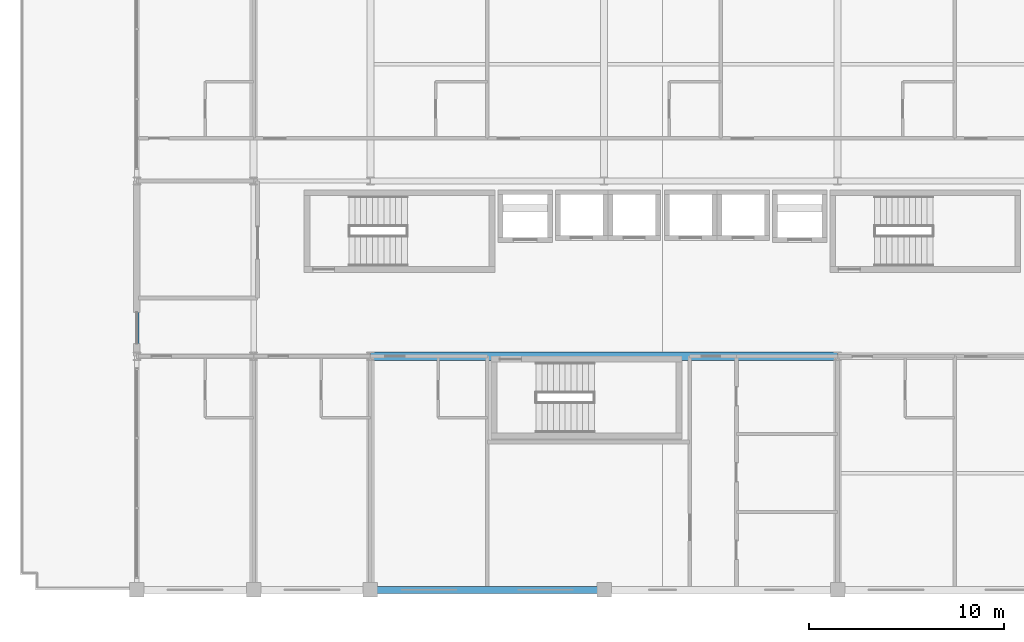
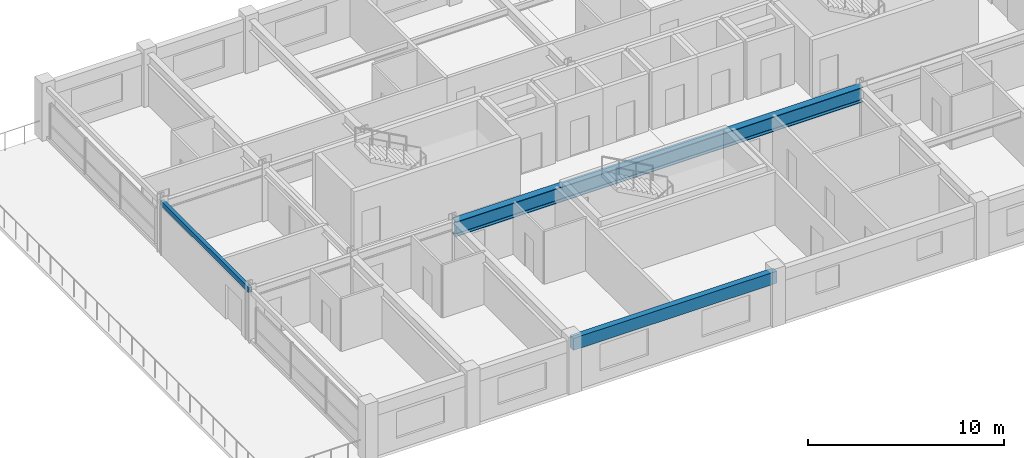
# One storey, part 5 of 21: 3 beams.
"""IFC4 building model written with IfcOpenShell, lengths in metres."""

import ifcopenshell
import ifcopenshell.guid

model = None  # the IFC model being written
_history = None  # IfcOwnerHistory: only IFC2X3 demands one
_inside = {}  # id of a spatial element -> (the spatial element, [elements in it])
_under = {}  # id of a project, library or spatial element -> (it, [spatial elements below it])
_declared = {}  # id of a project -> (the project, [libraries it declares])
_typed = {}  # id of a type object -> (the type object, [elements of that type])
_made_of = {}  # id of a material, layer set ... -> (it, [elements and type objects made of it])


def new_model(schema):
    """Start an empty IFC model of exactly this schema.

    Asked for "IFC4X3", IfcOpenShell would pick the latest addendum, in which some entities
    have other attributes; the version numbers below select the first issue.
    IFC2X3 requires an IfcOwnerHistory on every rooted entity: one is made here for all.
    """
    global model, _history
    if schema == "IFC4X3":
        model = ifcopenshell.file(schema_version=(4, 3, 0, 0))
    else:
        model = ifcopenshell.file(schema=schema)
    _inside.clear()
    _under.clear()
    _declared.clear()
    _typed.clear()
    _made_of.clear()
    _history = None
    if model.schema == "IFC2X3":
        org = make("IfcOrganization", Name="unknown")
        user = make(
            "IfcPersonAndOrganization",
            ThePerson=make("IfcPerson", FamilyName="unknown"),
            TheOrganization=org,
        )
        app = make(
            "IfcApplication",
            ApplicationDeveloper=org,
            Version="unknown",
            ApplicationFullName="unknown",
            ApplicationIdentifier="unknown",
        )
        _history = make(
            "IfcOwnerHistory",
            OwningUser=user,
            OwningApplication=app,
            ChangeAction="ADDED",
            CreationDate=0,
        )
    return model


def make(cls, **values):
    """One entity of the class cls with the attributes given. An attribute that is None is left unset."""
    return model.create_entity(
        cls, **{name: value for name, value in values.items() if value is not None}
    )


def rooted(cls, **values):
    """An entity with a GlobalId (a new one), such as an element, a storey or a relation."""
    return make(cls, GlobalId=ifcopenshell.guid.new(), OwnerHistory=_history, **values)


def si_unit(unit_type, name, prefix=None):
    """IfcSIUnit, for example si_unit("LENGTHUNIT", "METRE", prefix="MILLI")."""
    return make("IfcSIUnit", UnitType=unit_type, Prefix=prefix, Name=name)


def assignment(units):
    """IfcUnitAssignment: the units of a project."""
    return None if units is None else make("IfcUnitAssignment", Units=units)


def point(xyz):
    """IfcCartesianPoint."""
    return None if xyz is None else make("IfcCartesianPoint", Coordinates=xyz)


def direction(xyz):
    """IfcDirection."""
    return None if xyz is None else make("IfcDirection", DirectionRatios=xyz)


def frame(location, z_axis=None, x_axis=None):
    """IfcAxis2Placement3D, a coordinate frame: its origin and axes. An axis left out is left unset."""
    return make(
        "IfcAxis2Placement3D",
        Location=point(location),
        Axis=direction(z_axis),
        RefDirection=direction(x_axis),
    )


def frame_2d(location, x_axis=None):
    """IfcAxis2Placement2D, a coordinate frame in the plane: its origin and x axis."""
    return make(
        "IfcAxis2Placement2D", Location=point(location), RefDirection=direction(x_axis)
    )


def origin():
    """The frame at (0, 0, 0) with its axes left unset."""
    return frame((0.0, 0.0, 0.0))


def origin_2d():
    """The frame at (0, 0) in the plane with its x axis left unset."""
    return frame_2d((0.0, 0.0))


def place(relative_to, where):
    """IfcLocalPlacement: puts the frame where relative to a parent placement (None: the world)."""
    return make(
        "IfcLocalPlacement", PlacementRelTo=relative_to, RelativePlacement=where
    )


def context(
    kind, dimensions, precision=None, world=None, true_north=None, identifier=None
):
    """IfcGeometricRepresentationContext, for example the 3D "Model" context."""
    return make(
        "IfcGeometricRepresentationContext",
        ContextIdentifier=identifier,
        ContextType=kind,
        CoordinateSpaceDimension=dimensions,
        Precision=precision,
        WorldCoordinateSystem=world,
        TrueNorth=true_north,
    )


def subcontext(parent, identifier, kind, view, scale=None):
    """IfcGeometricRepresentationSubContext, for example "Body" below "Model"."""
    return make(
        "IfcGeometricRepresentationSubContext",
        ContextIdentifier=identifier,
        ContextType=kind,
        ParentContext=parent,
        TargetScale=scale,
        TargetView=view,
    )


def project(units=None, contexts=None):
    """IfcProject with its units and contexts."""
    return rooted(
        "IfcProject",
        Name="project",
        RepresentationContexts=contexts,
        UnitsInContext=assignment(units),
    )


def spatial(cls, under=None, at=None, **own):
    """A site, building, storey or space (cls), placed at a placement, below another one or the project."""
    s = rooted(cls, ObjectPlacement=at, **own)
    if under is not None:
        _under.setdefault(under.id(), (under, []))[1].append(s)
    return s


def profile(cls, at=None, kind="AREA", **sizes):
    """A parametric profile (cls). Its sizes go by their IFC names, for example OverallWidth=200.0."""
    return make(cls, ProfileType=kind, Position=at, **sizes)


def rectangle(**sizes):
    """IfcRectangleProfileDef."""
    return profile("IfcRectangleProfileDef", **sizes)


def hollow_rectangle(**sizes):
    """IfcRectangleHollowProfileDef."""
    return profile("IfcRectangleHollowProfileDef", **sizes)


def i_section(**sizes):
    """IfcIShapeProfileDef."""
    return profile("IfcIShapeProfileDef", **sizes)


def extrude(swept, where, along, depth):
    """IfcExtrudedAreaSolid: the profile swept, set in the frame where, extruded along a direction by depth."""
    return make(
        "IfcExtrudedAreaSolid",
        SweptArea=swept,
        Position=where,
        ExtrudedDirection=direction(along),
        Depth=depth,
    )


def shape(context_of_items, identifier, shape_type, items):
    """IfcShapeRepresentation: the items that make up one representation, for example the "Body"."""
    return make(
        "IfcShapeRepresentation",
        ContextOfItems=context_of_items,
        RepresentationIdentifier=identifier,
        RepresentationType=shape_type,
        Items=items,
    )


def material(Name=None, Category=None):
    """IfcMaterial."""
    return make("IfcMaterial", Name=Name, Category=Category)


def material_profile(
    of_material, cross_section, Name=None, Category=None, Priority=None
):
    """IfcMaterialProfile: a cross section and its material."""
    return make(
        "IfcMaterialProfile",
        Name=Name,
        Material=of_material,
        Profile=cross_section,
        Priority=Priority,
        Category=Category,
    )


def profile_set(profiles, Name=None, composite=None):
    """IfcMaterialProfileSet."""
    return make(
        "IfcMaterialProfileSet",
        Name=Name,
        MaterialProfiles=profiles,
        CompositeProfile=composite,
    )


def made_of(thing, what):
    """Note that an element or type object is made of a material, layer set ...; save() writes the relation."""
    if what is not None:
        _made_of.setdefault(what.id(), (what, []))[1].append(thing)
    return thing


def type_object(cls, material=None, **own):
    """A type object (cls), such as IfcWallType, which elements share."""
    return made_of(rooted(cls, **own), material)


def element(
    cls,
    number,
    at=None,
    inside=None,
    cuts=None,
    type_object=None,
    material=None,
    context=None,
    identifier="Body",
    shape_type=None,
    held_by="IfcProductDefinitionShape",
    body=None,
    shapes=None,
    **own,
):
    """One element of the class cls, such as IfcWall. Its Tag is "e" and its number.

    at: its placement. inside: the storey or other place that contains it. cuts: it is an
    opening in that element (IfcRelVoidsElement). A single representation is given by context,
    identifier, shape_type and body (its items); several are given by shapes. held_by: the class
    of the entity that holds the representations. save() writes the other relations.
    """
    e = rooted(cls, Tag="e%d" % number, ObjectPlacement=at, **own)
    if body is not None:
        shapes = [shape(context, identifier, shape_type, body)]
    if shapes is not None:
        e.Representation = make(held_by, Representations=shapes)
    if inside is not None:
        _inside.setdefault(inside.id(), (inside, []))[1].append(e)
    if cuts is not None:
        rooted(
            "IfcRelVoidsElement", RelatingBuildingElement=cuts, RelatedOpeningElement=e
        )
    if type_object is not None:
        _typed.setdefault(type_object.id(), (type_object, []))[1].append(e)
    return made_of(e, material)


def aggregate(whole, parts):
    """IfcRelAggregates: a whole, such as a stair, and the parts it consists of."""
    return rooted("IfcRelAggregates", RelatingObject=whole, RelatedObjects=parts)


def save(model, path):
    """Write the relations noted so far, then the file.

    IfcRelAggregates (storeys below a building ...), IfcRelContainedInSpatialStructure (elements
    in a storey), IfcRelDefinesByType, IfcRelAssociatesMaterial and IfcRelDeclares: one each for
    every whole, place, type object, material and project.
    """
    for whole, parts in _under.values():
        aggregate(whole, parts)
    for where, things in _inside.values():
        rooted(
            "IfcRelContainedInSpatialStructure",
            RelatedElements=things,
            RelatingStructure=where,
        )
    for kind, things in _typed.values():
        rooted("IfcRelDefinesByType", RelatedObjects=things, RelatingType=kind)
    for what, things in _made_of.values():
        rooted("IfcRelAssociatesMaterial", RelatedObjects=things, RelatingMaterial=what)
    for by, libraries in _declared.values():
        rooted("IfcRelDeclares", RelatingContext=by, RelatedDefinitions=libraries)
    model.write(path)


model = new_model("IFC4")

# Units and contexts
model_context = context("Model", 3, precision=1e-05, world=origin(), true_north=direction((0.0, 1.0)))
body_context = subcontext(model_context, "Body", "Model", "MODEL_VIEW")
ifc_project = project(units=[si_unit("LENGTHUNIT", "METRE"), si_unit("AREAUNIT", "SQUARE_METRE"), si_unit("VOLUMEUNIT", "CUBIC_METRE"), si_unit("PLANEANGLEUNIT", "RADIAN"), si_unit("MASSUNIT", "GRAM", prefix="KILO")], contexts=[model_context])

# Site, building, storey
site_placement = place(None, origin())
site = spatial("IfcSite", under=ifc_project, at=site_placement, CompositionType="ELEMENT")
building_placement = place(site_placement, origin())
building = spatial("IfcBuilding", under=site, at=building_placement, Name="Kaldorvane Square Convention Centre", CompositionType="ELEMENT")
storey_placement = place(building_placement, frame((0.0, 0.0, 49.19999694824219)))
storey = spatial("IfcBuildingStorey", under=building, at=storey_placement, Name="L11", CompositionType="ELEMENT", Elevation=49.19999694824219)

# Beams
ifc_material_1 = material(Name="Steel ASTM A992 Gr. 50", Category="steel")
ifc_material_profile_1 = material_profile(ifc_material_1, i_section(OverallWidth=0.418304443359375, OverallDepth=0.926605224609375, WebThickness=0.0193023681640625, FlangeThickness=0.0319976806640625, FilletRadius=0.0240936279296875, at=origin_2d()), Name="W36X231")
ifc_profile_set_1 = profile_set([ifc_material_profile_1], Name="Steel ASTM A992 Gr. 50")
beam_type_1 = type_object("IfcBeamType", Name="BM-GR-W36X231", PredefinedType="BEAM", material=ifc_profile_set_1)
beam_1_placement = place(storey_placement, frame((42.0, 96.0, 2.8227081298828125), z_axis=(1.0, 0.0, 0.0), x_axis=(0.0, 1.0, 0.0)))
element("IfcBeam", 1, at=beam_1_placement, inside=storey, type_object=beam_type_1, Name="Primary Girder (L11)", PredefinedType="BEAM", context=body_context, shape_type="SweptSolid", body=[
    extrude(i_section(OverallWidth=0.418304443359375, OverallDepth=0.926605224609375, WebThickness=0.0193023681640625, FlangeThickness=0.0319976806640625, FilletRadius=0.0240936279296875, at=origin_2d()), origin(), (0.0, 0.0, 1.0), 24.0),
])
ifc_material_2 = material(Name="Steel ASTM A500 Gr. C", Category="steel")
ifc_material_profile_2 = material_profile(ifc_material_2, hollow_rectangle(XDim=0.2032012939453125, YDim=0.3047943115234375, WallThickness=0.0088958740234375, at=origin_2d()), Name="HSS12X8X3/8")
ifc_profile_set_2 = profile_set([ifc_material_profile_2], Name="Steel ASTM A500 Gr. C")
beam_type_2 = type_object("IfcBeamType", Name="BM-SP-HSS12", PredefinedType="SPANDREL", material=ifc_profile_set_2)
beam_2_placement = place(storey_placement, frame((30.0, 96.0, 3.13360595703125), z_axis=(0.0, 1.0, 0.0), x_axis=(-1.0, 0.0, 0.0)))
element("IfcBeam", 2, at=beam_2_placement, inside=storey, type_object=beam_type_2, Name="End Spandrel (L11)", PredefinedType="SPANDREL", context=body_context, shape_type="SweptSolid", body=[
    extrude(hollow_rectangle(XDim=0.2032012939453125, YDim=0.3047943115234375, WallThickness=0.0088958740234375, at=origin_2d()), origin(), (0.0, 0.0, 1.0), 9.0),
])
ifc_material_3 = material(Name="Concrete f'c = 42 MPa (Normalweight)", Category="concrete")
ifc_material_profile_3 = material_profile(ifc_material_3, rectangle(XDim=0.350006103515625, YDim=0.75, at=origin_2d()), Name="RCSP750X350")
ifc_profile_set_3 = profile_set([ifc_material_profile_3], Name="Concrete f'c = 42 MPa (Normalweight)")
beam_type_3 = type_object("IfcBeamType", Name="BM-SP-RC750", PredefinedType="SPANDREL", material=ifc_profile_set_3)
beam_3_placement = place(storey_placement, frame((42.0, 84.0, 2.9109954833984375), z_axis=(1.0, 0.0, 0.0), x_axis=(0.0, 1.0, 0.0)))
element("IfcBeam", 3, at=beam_3_placement, inside=storey, type_object=beam_type_3, Name="Perimeter Spandrel (L11)", PredefinedType="SPANDREL", context=body_context, shape_type="SweptSolid", body=[
    extrude(rectangle(XDim=0.350006103515625, YDim=0.75, at=origin_2d()), origin(), (0.0, 0.0, 1.0), 12.0),
])

save(model, "model.ifc")
